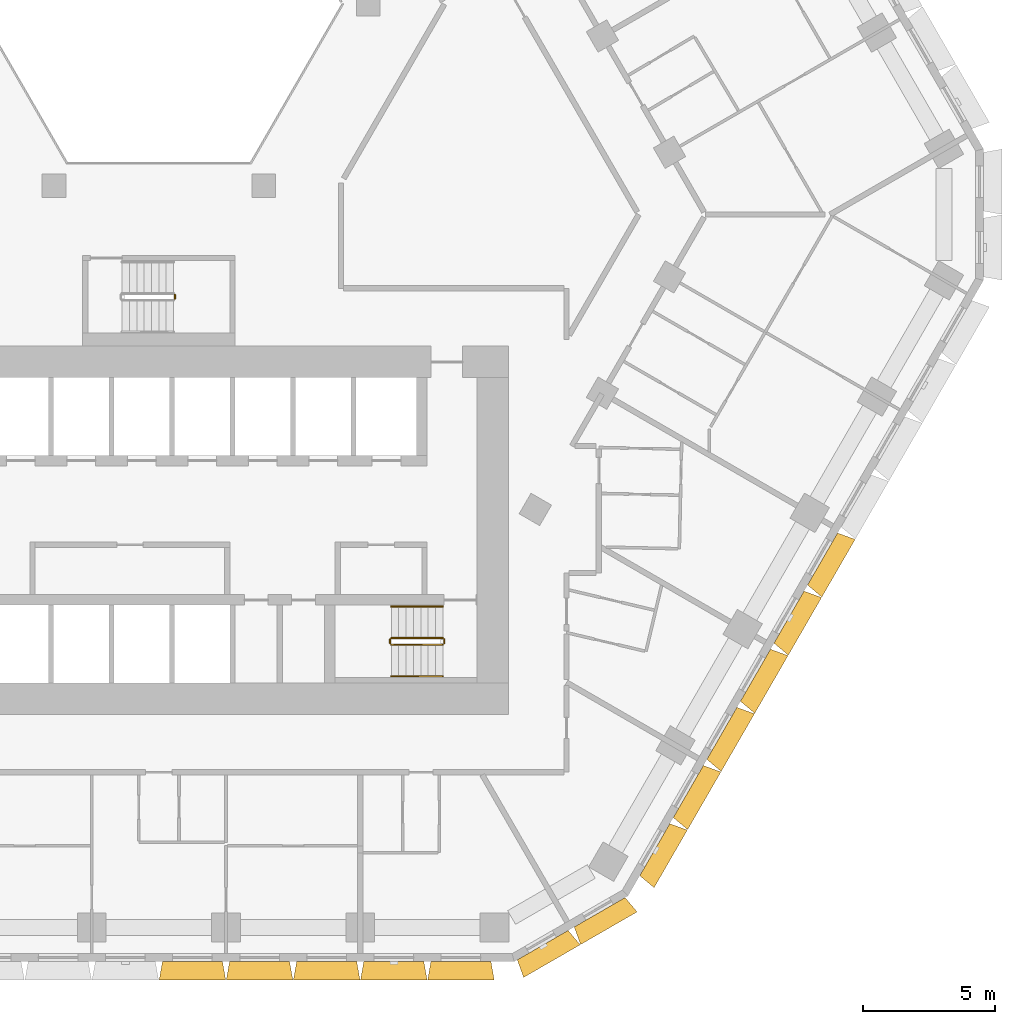
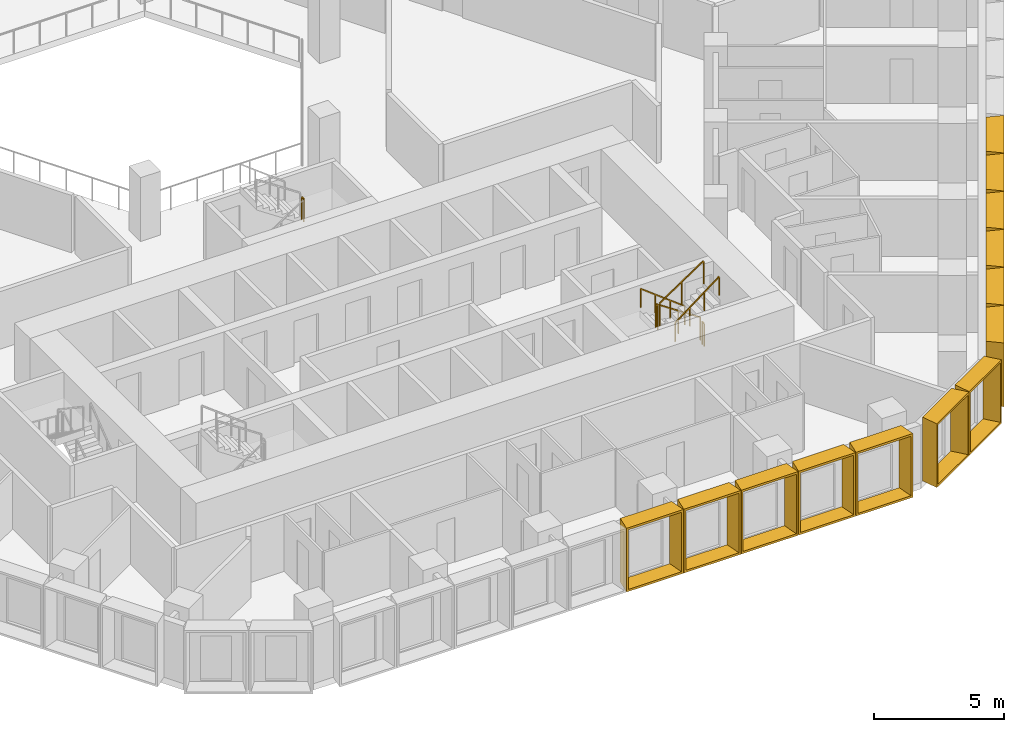
# One storey, part 20 of 21: 13 shading devices, 7 railings.
"""IFC4 building model written with IfcOpenShell, lengths in metres."""

from ifc_helpers import new_model, entity, si_unit, direction, frame, origin, origin_2d, place, context, subcontext, project, spatial, rectangle, extrude, source, transform, mapped, material, type_object, type_shapes, element, save


model = new_model("IFC4")

# Units and contexts
model_context = context("Model", 3, precision=1e-05, world=origin(), true_north=direction((0.0, 1.0)))
body_context = subcontext(model_context, "Body", "Model", "MODEL_VIEW")
ifc_project = project(units=[si_unit("LENGTHUNIT", "METRE"), si_unit("AREAUNIT", "SQUARE_METRE"), si_unit("VOLUMEUNIT", "CUBIC_METRE"), si_unit("PLANEANGLEUNIT", "RADIAN"), si_unit("MASSUNIT", "GRAM", prefix="KILO")], contexts=[model_context])

# Site, building, storey
site_placement = place(None, origin())
site = spatial("IfcSite", under=ifc_project, at=site_placement, CompositionType="ELEMENT")
building_placement = place(site_placement, origin())
building = spatial("IfcBuilding", under=site, at=building_placement, Name="Beryl Residences", CompositionType="ELEMENT")
storey_placement = place(building_placement, frame((0.0, 0.0, 47.39990234375)))
storey = spatial("IfcBuildingStorey", under=building, at=storey_placement, Name="L14", CompositionType="ELEMENT", Elevation=47.39990234375)

# Shading devices
ifc_material_1 = material(Name="Aluminium pale anodised", Category="aluminium")
shading_device_type_1 = type_object("IfcShadingDeviceType", Name="FR250-70A OUTER SKIN frame 700 mm deep, splay 10/10 deg, 2500 x 3000 mm cell", PredefinedType="USERDEFINED", material=ifc_material_1)
cartesian_point_1 = entity("IfcCartesianPoint", [-1.116455078125, 0.0])
cartesian_point_2 = entity("IfcCartesianPoint", [-1.03515625, 0.10009765625])
cartesian_point_3 = entity("IfcCartesianPoint", [-1.239990234375, 0.0])
cartesian_point_4 = entity("IfcCartesianPoint", [-1.15869140625, 0.10009765625])
shared_shape_1 = source(origin(), body_context, "Body", "SweptSolid", [
    entity("IfcExtrudedAreaSolidTapered", entity("IfcArbitraryProfileDefWithVoids", "AREA", None, entity("IfcPolyline", [cartesian_point_1, entity("IfcCartesianPoint", [1.116455078125, 0.0]), entity("IfcCartesianPoint", [1.116455078125, 3.0]), entity("IfcCartesianPoint", [-1.116455078125, 3.0]), cartesian_point_1]), [entity("IfcPolyline", [cartesian_point_2, entity("IfcCartesianPoint", [1.03515625, 0.10009765625]), entity("IfcCartesianPoint", [1.03515625, 2.89990234375]), entity("IfcCartesianPoint", [-1.03515625, 2.89990234375]), cartesian_point_2])]), entity("IfcAxis2Placement3D", entity("IfcCartesianPoint", [0.0, 0.0, 0.0]), entity("IfcDirection", [0.0, 1.0, 0.0]), entity("IfcDirection", [-1.0, 0.0, 0.0])), entity("IfcDirection", [0.0, 0.0, 1.0]), 0.699951171875, entity("IfcArbitraryProfileDefWithVoids", "AREA", None, entity("IfcPolyline", [cartesian_point_3, entity("IfcCartesianPoint", [1.239990234375, 0.0]), entity("IfcCartesianPoint", [1.239990234375, 3.0]), entity("IfcCartesianPoint", [-1.239990234375, 3.0]), cartesian_point_3]), [entity("IfcPolyline", [cartesian_point_4, entity("IfcCartesianPoint", [1.15869140625, 0.10009765625]), entity("IfcCartesianPoint", [1.15869140625, 2.89990234375]), entity("IfcCartesianPoint", [-1.15869140625, 2.89990234375]), cartesian_point_4])])),
])
type_shapes(shading_device_type_1, [shared_shape_1])
for number, where, z_axis, x_axis, name in (
    (1, (14.593017578125, -27.77490234375, 0.0), (0.0, 0.0, 1.0), (-0.866025403784, -0.5, 0.0), "FR250-70A frame L14 S-SE 1"),
    (2, (16.758056640625, -26.52490234375, 0.0), (0.0, 0.0, 1.0), (-0.866025403784, -0.5, 0.0), "FR250-70A frame L14 S-SE 2"),
):
    element("IfcShadingDevice", number, at=place(storey_placement, frame(where, z_axis=z_axis, x_axis=x_axis)), inside=storey, type_object=shading_device_type_1, Name=name, ObjectType="OUTER SKIN", PredefinedType="USERDEFINED", context=body_context, shape_type="MappedRepresentation", body=[
        mapped(shared_shape_1, transform((0.0, 0.0, 0.0))),
    ])
ifc_material_2 = material(Name="Aluminium pale anodised", Category="aluminium")
shading_device_type_2 = type_object("IfcShadingDeviceType", Name="FR255-70A OUTER SKIN frame 700 mm deep, splay 10/10 deg, 2550 x 3000 mm cell", PredefinedType="USERDEFINED", material=ifc_material_2)
cartesian_point_5 = entity("IfcCartesianPoint", [-1.1416015625, 0.0])
cartesian_point_6 = entity("IfcCartesianPoint", [-1.060302734375, 0.10009765625])
cartesian_point_7 = entity("IfcCartesianPoint", [-1.264892578125, 0.0])
cartesian_point_8 = entity("IfcCartesianPoint", [-1.18359375, 0.10009765625])
shared_shape_2 = source(origin(), body_context, "Body", "SweptSolid", [
    entity("IfcExtrudedAreaSolidTapered", entity("IfcArbitraryProfileDefWithVoids", "AREA", None, entity("IfcPolyline", [cartesian_point_5, entity("IfcCartesianPoint", [1.1416015625, 0.0]), entity("IfcCartesianPoint", [1.1416015625, 3.0]), entity("IfcCartesianPoint", [-1.1416015625, 3.0]), cartesian_point_5]), [entity("IfcPolyline", [cartesian_point_6, entity("IfcCartesianPoint", [1.060302734375, 0.10009765625]), entity("IfcCartesianPoint", [1.060302734375, 2.89990234375]), entity("IfcCartesianPoint", [-1.060302734375, 2.89990234375]), cartesian_point_6])]), entity("IfcAxis2Placement3D", entity("IfcCartesianPoint", [0.0, 0.0, 0.0]), entity("IfcDirection", [0.0, 1.0, 0.0]), entity("IfcDirection", [-1.0, 0.0, 0.0])), entity("IfcDirection", [0.0, 0.0, 1.0]), 0.699951171875, entity("IfcArbitraryProfileDefWithVoids", "AREA", None, entity("IfcPolyline", [cartesian_point_7, entity("IfcCartesianPoint", [1.264892578125, 0.0]), entity("IfcCartesianPoint", [1.264892578125, 3.0]), entity("IfcCartesianPoint", [-1.264892578125, 3.0]), cartesian_point_7]), [entity("IfcPolyline", [cartesian_point_8, entity("IfcCartesianPoint", [1.18359375, 0.10009765625]), entity("IfcCartesianPoint", [1.18359375, 2.89990234375]), entity("IfcCartesianPoint", [-1.18359375, 2.89990234375]), cartesian_point_8])])),
])
type_shapes(shading_device_type_2, [shared_shape_2])
for number, where, z_axis, x_axis, name in (
    (3, (1.277099609375, -28.39990234375, 0.0), (0.0, 0.0, 1.0), (-1.0, 0.0, 0.0), "FR255-70A frame L14 S 6"),
    (4, (3.8291015625, -28.39990234375, 0.0), (0.0, 0.0, 1.0), (-1.0, 0.0, 0.0), "FR255-70A frame L14 S 7"),
    (5, (6.381103515625, -28.39990234375, 0.0), (0.0, 0.0, 1.0), (-1.0, 0.0, 0.0), "FR255-70A frame L14 S 8"),
    (6, (8.93310546875, -28.39990234375, 0.0), (0.0, 0.0, 1.0), (-1.0, 0.0, 0.0), "FR255-70A frame L14 S 9"),
    (7, (11.485107421875, -28.39990234375, 0.0), (0.0, 0.0, 1.0), (-1.0, 0.0, 0.0), "FR255-70A frame L14 S 10"),
    (8, (18.85400390625, -24.14501953125, 0.0), (0.0, 0.0, 1.0), (-0.5, -0.866025403784, 0.0), "FR255-70A frame L14 SE 1"),
    (9, (20.1298828125, -21.93505859375, 0.0), (0.0, 0.0, 1.0), (-0.5, -0.866025403784, 0.0), "FR255-70A frame L14 SE 2"),
    (10, (21.406005859375, -19.72412109375, 0.0), (0.0, 0.0, 1.0), (-0.5, -0.866025403784, 0.0), "FR255-70A frame L14 SE 3"),
    (11, (22.681884765625, -17.513916015625, 0.0), (0.0, 0.0, 1.0), (-0.5, -0.866025403784, 0.0), "FR255-70A frame L14 SE 4"),
    (12, (23.9580078125, -15.303955078125, 0.0), (0.0, 0.0, 1.0), (-0.5, -0.866025403784, 0.0), "FR255-70A frame L14 SE 5"),
    (13, (25.23291015625, -13.093994140625, 0.0), (0.0, 0.0, 1.0), (-0.5, -0.866025403784, 0.0), "FR255-70A frame L14 SE 6"),
):
    element("IfcShadingDevice", number, at=place(storey_placement, frame(where, z_axis=z_axis, x_axis=x_axis)), inside=storey, type_object=shading_device_type_2, Name=name, ObjectType="OUTER SKIN", PredefinedType="USERDEFINED", context=body_context, shape_type="MappedRepresentation", body=[
        mapped(shared_shape_2, transform((0.0, 0.0, 0.0))),
    ])

# Railings
ifc_material_3 = material(Name="Stainless steel balustrade with glass infill", Category="steel")
railing_type_1 = type_object("IfcRailingType", Name="SG1 stair guard 1100 mm", PredefinedType="GUARDRAIL", material=ifc_material_3)
railing_1_placement = place(storey_placement, frame((10.800048828125, -16.10009765625, 0.1875)))
element("IfcRailing", 14, at=railing_1_placement, inside=storey, type_object=railing_type_1, Name="L14 ST-3 stair guard 1", PredefinedType="GUARDRAIL", context=body_context, shape_type="SweptSolid", body=[
    extrude(rectangle(XDim=0.048095703125, YDim=0.048095703125, at=origin_2d()), frame((0.0, 0.0, 1.076171875), z_axis=(-0.830902050051, 0.0, 0.556418712142), x_axis=(0.0, -1.0, 0.0)), (0.0, 0.0, 1.0), 2.35888671875),
    extrude(rectangle(XDim=0.0419921875, YDim=0.0419921875, at=origin_2d()), origin(), (0.0, 0.0, 1.0), 1.052001953125),
    extrude(rectangle(XDim=0.0419921875, YDim=0.0419921875, at=origin_2d()), frame((-0.97998046875, 0.0, 0.65625)), (0.0, 0.0, 1.0), 1.052001953125),
    extrude(rectangle(XDim=0.0419921875, YDim=0.0419921875, at=origin_2d()), frame((-1.9599609375, 0.0, 1.3125)), (0.0, 0.0, 1.0), 1.052001953125),
])
railing_2_placement = place(storey_placement, frame((8.7900390625, -16.14990234375, 1.5)))
element("IfcRailing", 15, at=railing_2_placement, inside=storey, type_object=railing_type_1, Name="L14 ST-3 stair guard 2", PredefinedType="GUARDRAIL", context=body_context, shape_type="SweptSolid", body=[
    extrude(rectangle(XDim=0.048095703125, YDim=0.048095703125, at=origin_2d()), frame((0.0, 0.0, 1.076171875), z_axis=(0.0, -1.0, 0.0), x_axis=(1.0, 0.0, 0.0)), (0.0, 0.0, 1.0), 0.150146484375),
    extrude(rectangle(XDim=0.0419921875, YDim=0.0419921875, at=origin_2d()), origin(), (0.0, 0.0, 1.0), 1.052001953125),
    extrude(rectangle(XDim=0.0419921875, YDim=0.0419921875, at=origin_2d()), frame((0.0, -0.150146484375, 0.0)), (0.0, 0.0, 1.0), 1.052001953125),
])
railing_3_placement = place(storey_placement, frame((8.840087890625, -16.35009765625, 1.6875)))
element("IfcRailing", 16, at=railing_3_placement, inside=storey, type_object=railing_type_1, Name="L14 ST-3 stair guard 3", PredefinedType="GUARDRAIL", context=body_context, shape_type="SweptSolid", body=[
    extrude(rectangle(XDim=0.048095703125, YDim=0.048095703125, at=origin_2d()), frame((0.0, 0.0, 1.076171875), z_axis=(0.830902050051, 0.0, 0.556418712142), x_axis=(0.0, 1.0, 0.0)), (0.0, 0.0, 1.0), 2.35888671875),
    extrude(rectangle(XDim=0.0419921875, YDim=0.0419921875, at=origin_2d()), origin(), (0.0, 0.0, 1.0), 1.052001953125),
    extrude(rectangle(XDim=0.0419921875, YDim=0.0419921875, at=origin_2d()), frame((0.97998046875, 0.0, 0.65625)), (0.0, 0.0, 1.0), 1.052001953125),
    extrude(rectangle(XDim=0.0419921875, YDim=0.0419921875, at=origin_2d()), frame((1.9599609375, 0.0, 1.3125)), (0.0, 0.0, 1.0), 1.052001953125),
])
railing_4_placement = place(storey_placement, frame((10.85009765625, -16.14990234375, 0.0)))
element("IfcRailing", 17, at=railing_4_placement, inside=storey, type_object=railing_type_1, Name="L14 ST-3 stair guard 4", PredefinedType="GUARDRAIL", context=body_context, shape_type="SweptSolid", body=[
    extrude(rectangle(XDim=0.048095703125, YDim=0.048095703125, at=origin_2d()), frame((0.0, 0.0, 1.076171875), z_axis=(0.0, -1.0, 0.0), x_axis=(1.0, 0.0, 0.0)), (0.0, 0.0, 1.0), 0.150146484375),
    extrude(rectangle(XDim=0.0419921875, YDim=0.0419921875, at=origin_2d()), origin(), (0.0, 0.0, 1.0), 1.052001953125),
    extrude(rectangle(XDim=0.0419921875, YDim=0.0419921875, at=origin_2d()), frame((0.0, -0.150146484375, 0.0)), (0.0, 0.0, 1.0), 1.052001953125),
])
railing_5_placement = place(storey_placement, frame((0.610107421875, -3.199951171875, 1.5)))
element("IfcRailing", 18, at=railing_5_placement, inside=storey, type_object=railing_type_1, Name="L14 ST-4 stair guard 2", PredefinedType="GUARDRAIL", context=body_context, shape_type="SweptSolid", body=[
    extrude(rectangle(XDim=0.048095703125, YDim=0.048095703125, at=origin_2d()), frame((0.0, 0.0, 1.076171875), z_axis=(0.0, 1.0, 0.0), x_axis=(-1.0, 0.0, 0.0)), (0.0, 0.0, 1.0), 0.14990234375),
    extrude(rectangle(XDim=0.0419921875, YDim=0.0419921875, at=origin_2d()), origin(), (0.0, 0.0, 1.0), 1.052001953125),
    extrude(rectangle(XDim=0.0419921875, YDim=0.0419921875, at=origin_2d()), frame((0.0, 0.14990234375, 0.0)), (0.0, 0.0, 1.0), 1.052001953125),
])
ifc_material_4 = material(Name="Stainless steel handrail", Category="steel")
railing_type_2 = type_object("IfcRailingType", Name="SRL1 stair handrail 900 mm", PredefinedType="HANDRAIL", material=ifc_material_4)
railing_6_placement = place(storey_placement, frame((10.800048828125, -14.89990234375, 0.1875)))
element("IfcRailing", 19, at=railing_6_placement, inside=storey, type_object=railing_type_2, Name="L14 ST-3 stair handrail 1", PredefinedType="HANDRAIL", context=body_context, shape_type="SweptSolid", body=[
    extrude(rectangle(XDim=0.048095703125, YDim=0.048095703125, at=origin_2d()), frame((0.0, 0.0, 0.8759765625), z_axis=(-0.794121922505, 0.0, 0.607758481798), x_axis=(0.0, -1.0, 0.0)), (0.0, 0.0, 1.0), 2.468017578125),
    extrude(rectangle(XDim=0.0419921875, YDim=0.0419921875, at=origin_2d()), origin(), (0.0, 0.0, 1.0), 0.851806640625),
    extrude(rectangle(XDim=0.0419921875, YDim=0.0419921875, at=origin_2d()), frame((-0.6533203125, 0.0, 0.5)), (0.0, 0.0, 1.0), 0.851806640625),
    extrude(rectangle(XDim=0.0419921875, YDim=0.0419921875, at=origin_2d()), frame((-1.306640625, 0.0, 1.0)), (0.0, 0.0, 1.0), 0.851806640625),
    extrude(rectangle(XDim=0.0419921875, YDim=0.0419921875, at=origin_2d()), frame((-1.9599609375, 0.0, 1.5)), (0.0, 0.0, 1.0), 0.851806640625),
])
railing_7_placement = place(storey_placement, frame((8.840087890625, -17.550048828125, 1.6875)))
element("IfcRailing", 20, at=railing_7_placement, inside=storey, type_object=railing_type_2, Name="L14 ST-3 stair handrail 2", PredefinedType="HANDRAIL", context=body_context, shape_type="SweptSolid", body=[
    extrude(rectangle(XDim=0.048095703125, YDim=0.048095703125, at=origin_2d()), frame((0.0, 0.0, 0.8759765625), z_axis=(0.794121922505, 0.0, 0.607758481798), x_axis=(0.0, 1.0, 0.0)), (0.0, 0.0, 1.0), 2.468017578125),
    extrude(rectangle(XDim=0.0419921875, YDim=0.0419921875, at=origin_2d()), origin(), (0.0, 0.0, 1.0), 0.851806640625),
    extrude(rectangle(XDim=0.0419921875, YDim=0.0419921875, at=origin_2d()), frame((0.6533203125, 0.0, 0.5)), (0.0, 0.0, 1.0), 0.851806640625),
    extrude(rectangle(XDim=0.0419921875, YDim=0.0419921875, at=origin_2d()), frame((1.306640625, 0.0, 1.0)), (0.0, 0.0, 1.0), 0.851806640625),
    extrude(rectangle(XDim=0.0419921875, YDim=0.0419921875, at=origin_2d()), frame((1.9599609375, 0.0, 1.5)), (0.0, 0.0, 1.0), 0.851806640625),
])

save(model, "model.ifc")
